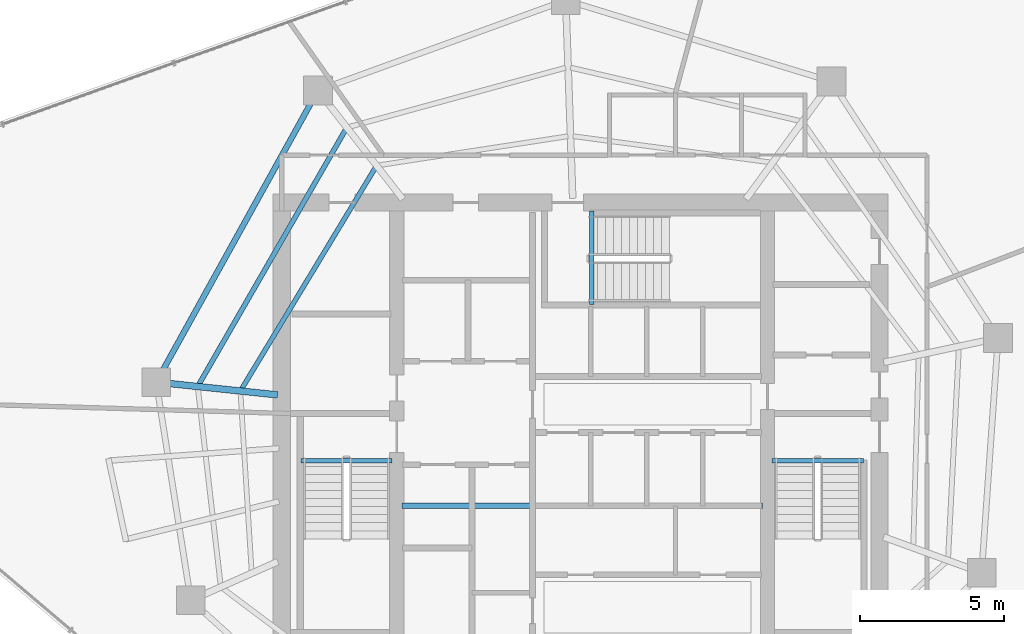
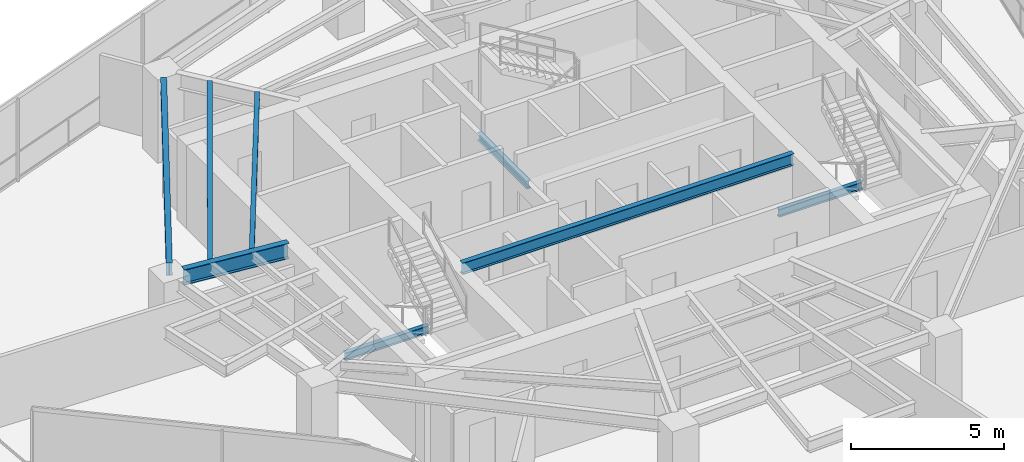
# One storey, part 7 of 21: 8 beams.
"""IFC4 building model written with IfcOpenShell, lengths in metres."""

from ifc_helpers import new_model, si_unit, direction, frame, origin, origin_2d, place, context, subcontext, project, spatial, i_section, extrude, material, material_profile, profile_set, type_object, element, save


model = new_model("IFC4")

# Units and contexts
model_context = context("Model", 3, precision=1e-05, world=origin(), true_north=direction((0.0, 1.0)))
body_context = subcontext(model_context, "Body", "Model", "MODEL_VIEW")
ifc_project = project(units=[si_unit("LENGTHUNIT", "METRE"), si_unit("AREAUNIT", "SQUARE_METRE"), si_unit("VOLUMEUNIT", "CUBIC_METRE"), si_unit("PLANEANGLEUNIT", "RADIAN"), si_unit("MASSUNIT", "GRAM", prefix="KILO")], contexts=[model_context])

# Site, building, storey
site_placement = place(None, origin())
site = spatial("IfcSite", under=ifc_project, at=site_placement, CompositionType="ELEMENT")
building_placement = place(site_placement, origin())
building = spatial("IfcBuilding", under=site, at=building_placement, Name="Qarnah Convention Tower", CompositionType="ELEMENT")
storey_placement = place(building_placement, frame((0.0, 0.0, 140.10009765625)))
storey = spatial("IfcBuildingStorey", under=building, at=storey_placement, Name="L37", CompositionType="ELEMENT", Elevation=140.10009765625)

# Beams
ifc_material = material(Name="Structural steel S355JR", Category="steel")
ifc_material_profile_1 = material_profile(ifc_material, i_section(OverallWidth=0.19189453125, OverallDepth=0.464111328125, WebThickness=0.010986328125, FlangeThickness=0.01806640625, at=origin_2d()), Name="W460X89")
ifc_profile_set_1 = profile_set([ifc_material_profile_1], Name="Structural steel S355JR")
beam_type_1 = type_object("IfcBeamType", Name="BM-CANT-W460A", PredefinedType="BEAM", material=ifc_profile_set_1)
beam_1_placement = place(storey_placement, frame((30.97998046875, 23.64990234375, 3.087890625), z_axis=(1.0, 0.0, 0.0), x_axis=(0.0, 1.0, 0.0)))
element("IfcBeam", 1, at=beam_1_placement, inside=storey, type_object=beam_type_1, Name="L37 beam BM-L37-KC1", PredefinedType="BEAM", context=body_context, shape_type="SweptSolid", body=[
    extrude(i_section(OverallWidth=0.19189453125, OverallDepth=0.464111328125, WebThickness=0.010986328125, FlangeThickness=0.01806640625, at=origin_2d()), origin(), (0.0, 0.0, 1.0), 12.5400390625),
])
ifc_material_profile_2 = material_profile(ifc_material, i_section(OverallWidth=0.166015625, OverallDepth=0.31201171875, WebThickness=0.007080078125, FlangeThickness=0.010986328125, at=origin_2d()), Name="W310X45")
ifc_profile_set_2 = profile_set([ifc_material_profile_2], Name="Structural steel S355JR")
beam_type_2 = type_object("IfcBeamType", Name="BM-JST-W310", PredefinedType="JOIST", material=ifc_profile_set_2)
for number, where, z_axis, x_axis, name in (
    (2, (27.4599609375, 25.217041015625, -0.156005859375), (1.0, 0.0, 0.0), (0.0, 1.0, 0.0), "L37 stair landing trimmer beam BM-L37-ST1-TRM"),
    (3, (43.860107421875, 25.217041015625, -0.156005859375), (1.0, 0.0, 0.0), (0.0, 1.0, 0.0), "L37 stair landing trimmer beam BM-L37-ST2-TRM"),
):
    element("IfcBeam", number, at=place(storey_placement, frame(where, z_axis=z_axis, x_axis=x_axis)), inside=storey, type_object=beam_type_2, Name=name, PredefinedType="BEAM", context=body_context, shape_type="SweptSolid", body=[
        extrude(i_section(OverallWidth=0.166015625, OverallDepth=0.31201171875, WebThickness=0.007080078125, FlangeThickness=0.010986328125, at=origin_2d()), origin(), (0.0, 0.0, 1.0), 3.179931640625),
    ])
beam_2_placement = place(storey_placement, frame((37.5830078125, 30.659912109375, -0.156005859375), z_axis=(0.0, 1.0, 0.0), x_axis=(-1.0, 0.0, 0.0)))
element("IfcBeam", 4, at=beam_2_placement, inside=storey, type_object=beam_type_2, Name="L37 stair landing trimmer beam BM-L37-ST3-TRM", PredefinedType="BEAM", context=body_context, shape_type="SweptSolid", body=[
    extrude(i_section(OverallWidth=0.166015625, OverallDepth=0.31201171875, WebThickness=0.007080078125, FlangeThickness=0.010986328125, at=origin_2d()), origin(), (0.0, 0.0, 1.0), 3.239990234375),
])
beam_3_placement = place(storey_placement, frame((30.052978515625, 35.410888671875, 3.163818359375), z_axis=(-0.517274041331, -0.855819821087, 0.0), x_axis=(0.855819821087, -0.517274041331, 0.0)))
element("IfcBeam", 5, at=beam_3_placement, inside=storey, type_object=beam_type_2, Name="L37 joist BM-L37-IJST-04", PredefinedType="JOIST", context=body_context, shape_type="SweptSolid", body=[
    extrude(i_section(OverallWidth=0.166015625, OverallDepth=0.31201171875, WebThickness=0.007080078125, FlangeThickness=0.010986328125, at=origin_2d()), origin(), (0.0, 0.0, 1.0), 8.9853515625),
])
ifc_material_profile_3 = material_profile(ifc_material, i_section(OverallWidth=0.172119140625, OverallDepth=0.35595703125, WebThickness=0.007080078125, FlangeThickness=0.011962890625, at=origin_2d()), Name="W360X51")
ifc_profile_set_3 = profile_set([ifc_material_profile_3], Name="Structural steel S355JR")
beam_type_3 = type_object("IfcBeamType", Name="BM-JST-W360", PredefinedType="JOIST", material=ifc_profile_set_3)
beam_4_placement = place(storey_placement, frame((29.01806640625, 36.736083984375, 3.141845703125), z_axis=(-0.499001955416, -0.86660085881, 0.0), x_axis=(0.86660085881, -0.499001955416, 0.0)))
element("IfcBeam", 6, at=beam_4_placement, inside=storey, type_object=beam_type_3, Name="L37 joist BM-L37-SJST-04", PredefinedType="JOIST", context=body_context, shape_type="SweptSolid", body=[
    extrude(i_section(OverallWidth=0.172119140625, OverallDepth=0.35595703125, WebThickness=0.007080078125, FlangeThickness=0.011962890625, at=origin_2d()), origin(), (0.0, 0.0, 1.0), 10.220703125),
])
ifc_material_profile_4 = material_profile(ifc_material, i_section(OverallWidth=0.22998046875, OverallDepth=0.617919921875, WebThickness=0.012939453125, FlangeThickness=0.02197265625, at=origin_2d()), Name="W610X140")
ifc_profile_set_4 = profile_set([ifc_material_profile_4], Name="Structural steel S355JR")
beam_type_4 = type_object("IfcBeamType", Name="BM-RAD-W610A", PredefinedType="BEAM", material=ifc_profile_set_4)
beam_5_placement = place(storey_placement, frame((26.65087890625, 27.509033203125, 3.010986328125), z_axis=(-0.994531015982, 0.104441649973, 0.0), x_axis=(-0.104441649973, -0.994531015982, 0.0)))
element("IfcBeam", 7, at=beam_5_placement, inside=storey, type_object=beam_type_4, Name="L37 beam BM-L37-RAD-05", PredefinedType="BEAM", context=body_context, shape_type="SweptSolid", body=[
    extrude(i_section(OverallWidth=0.22998046875, OverallDepth=0.617919921875, WebThickness=0.012939453125, FlangeThickness=0.02197265625, at=origin_2d()), origin(), (0.0, 0.0, 1.0), 3.763427734375),
])
ifc_material_profile_5 = material_profile(ifc_material, i_section(OverallWidth=0.199951171875, OverallDepth=0.5, WebThickness=0.010009765625, FlangeThickness=0.01611328125, at=origin_2d()), Name="IPE500")
ifc_profile_set_5 = profile_set([ifc_material_profile_5], Name="Structural steel S355JR")
beam_type_5 = type_object("IfcBeamType", Name="BM-SPN-IPE500", PredefinedType="SPANDREL", material=ifc_profile_set_5)
beam_6_placement = place(storey_placement, frame((27.819091796875, 37.673095703125, 3.06982421875), z_axis=(-0.48477441757, -0.874639219375, 0.0), x_axis=(0.874639219375, -0.48477441757, 0.0)))
element("IfcBeam", 8, at=beam_6_placement, inside=storey, type_object=beam_type_5, Name="L37 spandrel BM-L37-SPN-04", PredefinedType="SPANDREL", context=body_context, shape_type="SweptSolid", body=[
    extrude(i_section(OverallWidth=0.199951171875, OverallDepth=0.5, WebThickness=0.010009765625, FlangeThickness=0.01611328125, at=origin_2d()), origin(), (0.0, 0.0, 1.0), 10.623779296875),
])

save(model, "model.ifc")
